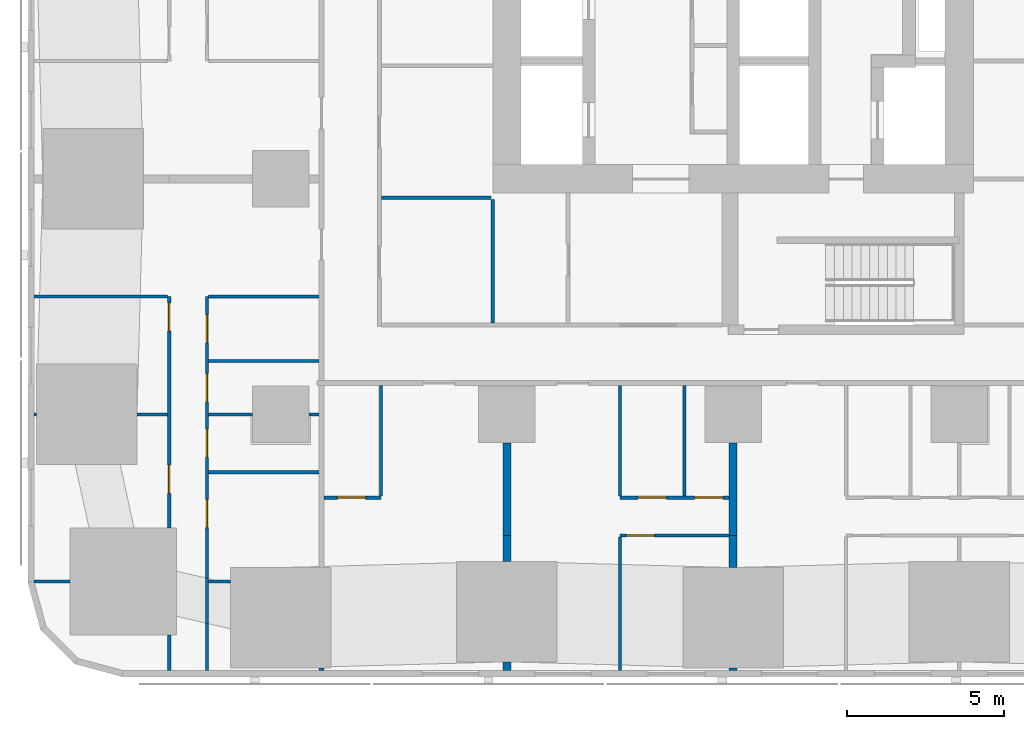
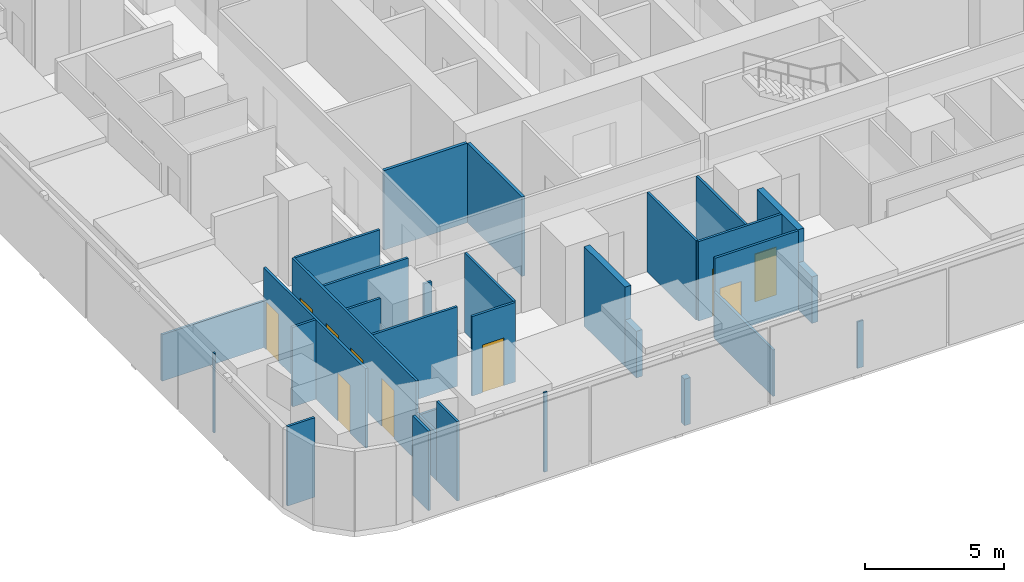
# One storey, part 2 of 17: 31 walls, 10 doors, 10 openings.
"""IFC4 building model written with IfcOpenShell, lengths in metres."""

from ifc_helpers import new_model, si_unit, direction, frame, frame_2d, origin, place, context, subcontext, project, spatial, rectangle, extrude, material, layer, layer_set, type_object, element, fill, save


model = new_model("IFC4")

# Units and contexts
model_context = context("Model", 3, precision=1e-05, world=origin(), true_north=direction((0.0, 1.0)))
body_context = subcontext(model_context, "Body", "Model", "MODEL_VIEW")
ifc_project = project(units=[si_unit("LENGTHUNIT", "METRE"), si_unit("AREAUNIT", "SQUARE_METRE"), si_unit("VOLUMEUNIT", "CUBIC_METRE"), si_unit("PLANEANGLEUNIT", "RADIAN"), si_unit("MASSUNIT", "GRAM", prefix="KILO")], contexts=[model_context])

# Site, building, storey
site_placement = place(None, origin())
site = spatial("IfcSite", under=ifc_project, at=site_placement, CompositionType="ELEMENT")
building_placement = place(site_placement, origin())
building = spatial("IfcBuilding", under=site, at=building_placement, Name="Sheger Commons Tower", CompositionType="ELEMENT")
storey_placement = place(building_placement, frame((0.0, 0.0, 23.75)))
storey = spatial("IfcBuildingStorey", under=building, at=storey_placement, Name="L05", CompositionType="ELEMENT", Elevation=23.75)

# Walls
ifc_material_1 = material(Name="Hollow concrete block masonry, skimmed both sides", Category="masonry")
ifc_layer_1 = layer(ifc_material_1, 0.14990234375)
ifc_layer_set_1 = layer_set([ifc_layer_1], Name="CORRIDOR WALL 150")
wall_type_1 = type_object("IfcWallType", Name="CORRIDOR WALL 150", PredefinedType="SOLIDWALL", material=ifc_layer_set_1)
wall_1_placement = place(storey_placement, frame((8.5, -0.64990234375, 0.0), z_axis=(0.0, 0.0, 1.0), x_axis=(0.0, 1.0, 0.0)))
element("IfcWall", 1, at=wall_1_placement, inside=storey, type_object=wall_type_1, Name="Corridor wall L05", PredefinedType="SOLIDWALL", context=body_context, shape_type="SweptSolid", body=[
    extrude(rectangle(XDim=0.073974609375, YDim=0.14990234375, at=frame_2d((0.037109375, 0.0))), origin(), (0.0, 0.0, 1.0), 3.5),
])
ifc_material_2 = material(Name="Dense concrete block masonry, plastered both sides (separating wall between flats)", Category="masonry")
ifc_layer_2 = layer(ifc_material_2, 0.25)
ifc_layer_set_2 = layer_set([ifc_layer_2], Name="DEMISING WALL 250")
wall_type_2 = type_object("IfcWallType", Name="DEMISING WALL 250", PredefinedType="SOLIDWALL", material=ifc_layer_set_2)
wall_2_placement = place(storey_placement, frame((14.39990234375, -0.64990234375, 0.0), z_axis=(0.0, 0.0, 1.0), x_axis=(0.0, 1.0, 0.0)))
element("IfcWall", 2, at=wall_2_placement, inside=storey, type_object=wall_type_2, Name="Demising wall L05", PredefinedType="SOLIDWALL", context=body_context, shape_type="SweptSolid", body=[
    extrude(rectangle(XDim=0.27392578125, YDim=0.25, at=frame_2d((0.136962890625, 0.0))), origin(), (0.0, 0.0, 1.0), 2.050048828125),
])
wall_3_placement = place(storey_placement, frame((14.39990234375, 2.825927734375, 0.0), z_axis=(0.0, 0.0, 1.0), x_axis=(0.0, 1.0, 0.0)))
element("IfcWall", 3, at=wall_3_placement, inside=storey, type_object=wall_type_2, Name="Demising wall L05", PredefinedType="SOLIDWALL", context=body_context, shape_type="SweptSolid", body=[
    extrude(rectangle(XDim=0.823974609375, YDim=0.25, at=frame_2d((0.412109375, 0.0))), origin(), (0.0, 0.0, 1.0), 2.050048828125),
])
wall_4_placement = place(storey_placement, frame((14.39990234375, 3.64990234375, 0.0), z_axis=(0.0, 0.0, 1.0), x_axis=(0.0, 1.0, 0.0)))
element("IfcWall", 4, at=wall_4_placement, inside=storey, type_object=wall_type_2, Name="Demising wall L05", PredefinedType="SOLIDWALL", context=body_context, shape_type="SweptSolid", body=[
    extrude(rectangle(XDim=2.94921875, YDim=0.25, at=frame_2d((1.474609375, 0.0))), origin(), (0.0, 0.0, 1.0), 3.5),
])
wall_5_placement = place(storey_placement, frame((21.60009765625, -0.64990234375, 0.0), z_axis=(0.0, 0.0, 1.0), x_axis=(0.0, 1.0, 0.0)))
element("IfcWall", 5, at=wall_5_placement, inside=storey, type_object=wall_type_2, Name="Demising wall L05", PredefinedType="SOLIDWALL", context=body_context, shape_type="SweptSolid", body=[
    extrude(rectangle(XDim=0.073974609375, YDim=0.25, at=frame_2d((0.037109375, 0.0))), origin(), (0.0, 0.0, 1.0), 2.050048828125),
])
wall_6_placement = place(storey_placement, frame((21.60009765625, 2.6259765625, 0.0), z_axis=(0.0, 0.0, 1.0), x_axis=(0.0, 1.0, 0.0)))
element("IfcWall", 6, at=wall_6_placement, inside=storey, type_object=wall_type_2, Name="Demising wall L05", PredefinedType="SOLIDWALL", context=body_context, shape_type="SweptSolid", body=[
    extrude(rectangle(XDim=1.02392578125, YDim=0.25, at=frame_2d((0.511962890625, 0.0))), origin(), (0.0, 0.0, 1.0), 2.050048828125),
])
wall_7_placement = place(storey_placement, frame((21.60009765625, 3.64990234375, 0.0), z_axis=(0.0, 0.0, 1.0), x_axis=(0.0, 1.0, 0.0)))
element("IfcWall", 7, at=wall_7_placement, inside=storey, type_object=wall_type_2, Name="Demising wall L05", PredefinedType="SOLIDWALL", context=body_context, shape_type="SweptSolid", body=[
    extrude(rectangle(XDim=2.94921875, YDim=0.25, at=frame_2d((1.474609375, 0.0))), origin(), (0.0, 0.0, 1.0), 3.5),
])
ifc_material_3 = material(Name="Gypsum board on steel studs", Category="steel")
ifc_layer_3 = layer(ifc_material_3, 0.10009765625)
ifc_layer_set_3 = layer_set([ifc_layer_3], Name="PARTITION 100")
wall_type_3 = type_object("IfcWallType", Name="PARTITION 100", PredefinedType="PARTITIONING", material=ifc_layer_set_3)
wall_8_placement = place(storey_placement, frame((3.64990234375, -0.64990234375, 0.0), z_axis=(0.0, 0.0, 1.0), x_axis=(0.0, 1.0, 0.0)))
element("IfcWall", 8, at=wall_8_placement, inside=storey, type_object=wall_type_3, Name="Partition L05", PredefinedType="PARTITIONING", context=body_context, shape_type="SweptSolid", body=[
    extrude(rectangle(XDim=1.135009765625, YDim=0.10009765625, at=frame_2d((0.5673828125, 0.0))), origin(), (0.0, 0.0, 1.0), 3.5),
])

# Wall, openings, doors
wall_9_placement = place(storey_placement, frame((3.64990234375, 3.886962890625, 0.0), z_axis=(0.0, 0.0, 1.0), x_axis=(0.0, 1.0, 0.0)))
wall_9 = element("IfcWall", 9, at=wall_9_placement, inside=storey, type_object=wall_type_3, Name="Partition L05", PredefinedType="PARTITIONING", context=body_context, shape_type="SweptSolid", body=[
    extrude(rectangle(XDim=7.363037109375, YDim=0.10009765625, at=frame_2d((3.681640625, 0.0))), origin(), (0.0, 0.0, 1.0), 3.5),
])
opening_1_placement = place(wall_9_placement, frame((6.262939453125, 0.0, 0.0)))
opening_1 = element("IfcOpeningElement", 10, at=opening_1_placement, cuts=wall_9, Name="Opening D2", PredefinedType="OPENING", context=body_context, shape_type="SweptSolid", body=[
    extrude(rectangle(XDim=0.89990234375, YDim=2.10009765625, at=frame_2d((0.449951171875, 1.050048828125))), frame((0.0, 0.06005859375, 0.0), z_axis=(0.0, -1.0, 0.0), x_axis=(1.0, 0.0, 0.0)), (0.0, 0.0, 1.0), 0.1201171875),
])
opening_2_placement = place(wall_9_placement, frame((1.10009765625, 0.0, 0.0)))
opening_2 = element("IfcOpeningElement", 11, at=opening_2_placement, cuts=wall_9, Name="Opening D2", PredefinedType="OPENING", context=body_context, shape_type="SweptSolid", body=[
    extrude(rectangle(XDim=0.89990234375, YDim=2.10009765625, at=frame_2d((0.449951171875, 1.050048828125))), frame((0.0, 0.06005859375, 0.0), z_axis=(0.0, -1.0, 0.0), x_axis=(1.0, 0.0, 0.0)), (0.0, 0.0, 1.0), 0.1201171875),
])
ifc_material_4 = material(Name="Timber door set", Category="wood")
door_type = type_object("IfcDoorType", Name="INTERNAL DOOR 900x2100", OperationType="NOTDEFINED", PredefinedType="DOOR", material=ifc_material_4)
door_1_placement = place(opening_1_placement, origin())
door_1 = element("IfcDoor", 12, at=door_1_placement, inside=storey, type_object=door_type, Name="Main bedroom door", OperationType="SINGLE_SWING_RIGHT", OverallHeight=2.10009765625, OverallWidth=0.89990234375, PredefinedType="DOOR", context=body_context, shape_type="SweptSolid", body=[
    extrude(rectangle(XDim=0.89990234375, YDim=2.10009765625, at=frame_2d((0.449951171875, 1.050048828125))), frame((0.0, 0.02490234375, 0.0), z_axis=(0.0, -1.0, 0.0), x_axis=(1.0, 0.0, 0.0)), (0.0, 0.0, 1.0), 0.050048828125),
])
fill(opening_1, door_1)
door_2_placement = place(opening_2_placement, origin())
door_2 = element("IfcDoor", 13, at=door_2_placement, inside=storey, type_object=door_type, Name="Bedroom 2 door", OperationType="SINGLE_SWING_LEFT", OverallHeight=2.10009765625, OverallWidth=0.89990234375, PredefinedType="DOOR", context=body_context, shape_type="SweptSolid", body=[
    extrude(rectangle(XDim=0.89990234375, YDim=2.10009765625, at=frame_2d((0.449951171875, 1.050048828125))), frame((0.0, 0.02490234375, 0.0), z_axis=(0.0, -1.0, 0.0), x_axis=(1.0, 0.0, 0.0)), (0.0, 0.0, 1.0), 0.050048828125),
])
fill(opening_2, door_2)

# Walls
wall_10_placement = place(storey_placement, frame((4.85009765625, -0.64990234375, 0.0), z_axis=(0.0, 0.0, 1.0), x_axis=(0.0, 1.0, 0.0)))
element("IfcWall", 14, at=wall_10_placement, inside=storey, type_object=wall_type_3, Name="Partition L05", PredefinedType="PARTITIONING", context=body_context, shape_type="SweptSolid", body=[
    extrude(rectangle(XDim=1.489013671875, YDim=0.10009765625, at=frame_2d((0.74462890625, 0.0))), origin(), (0.0, 0.0, 1.0), 3.5),
])
wall_11_placement = place(storey_placement, frame((4.85009765625, 0.839111328125, 0.0), z_axis=(0.0, 0.0, 1.0), x_axis=(0.0, 1.0, 0.0)))
element("IfcWall", 15, at=wall_11_placement, inside=storey, type_object=wall_type_3, Name="Partition L05", PredefinedType="PARTITIONING", context=body_context, shape_type="SweptSolid", body=[
    extrude(rectangle(XDim=1.4599609375, YDim=0.10009765625, at=frame_2d((0.72998046875, 0.0))), origin(), (0.0, 0.0, 1.0), 2.10009765625),
])

# Wall, openings, doors
wall_12_placement = place(storey_placement, frame((4.85009765625, 2.299072265625, 0.0), z_axis=(0.0, 0.0, 1.0), x_axis=(0.0, 1.0, 0.0)))
wall_12 = element("IfcWall", 16, at=wall_12_placement, inside=storey, type_object=wall_type_3, Name="Partition L05", PredefinedType="PARTITIONING", context=body_context, shape_type="SweptSolid", body=[
    extrude(rectangle(XDim=8.950927734375, YDim=0.10009765625, at=frame_2d((4.4755859375, 0.0))), origin(), (0.0, 0.0, 1.0), 3.5),
])
opening_3_placement = place(wall_12_placement, frame((7.47607421875, 0.0, 0.0)))
opening_3 = element("IfcOpeningElement", 17, at=opening_3_placement, cuts=wall_12, Name="Opening D2", PredefinedType="OPENING", context=body_context, shape_type="SweptSolid", body=[
    extrude(rectangle(XDim=0.89990234375, YDim=2.10009765625, at=frame_2d((0.449951171875, 1.050048828125))), frame((0.0, 0.06005859375, 0.0), z_axis=(0.0, -1.0, 0.0), x_axis=(1.0, 0.0, 0.0)), (0.0, 0.0, 1.0), 0.1201171875),
])
opening_4_placement = place(wall_12_placement, frame((3.8310546875, 0.0, 0.0)))
opening_4 = element("IfcOpeningElement", 18, at=opening_4_placement, cuts=wall_12, Name="Opening D2", PredefinedType="OPENING", context=body_context, shape_type="SweptSolid", body=[
    extrude(rectangle(XDim=0.89990234375, YDim=2.10009765625, at=frame_2d((0.449951171875, 1.050048828125))), frame((0.0, 0.06005859375, 0.0), z_axis=(0.0, -1.0, 0.0), x_axis=(1.0, 0.0, 0.0)), (0.0, 0.0, 1.0), 0.1201171875),
])
opening_5_placement = place(wall_12_placement, frame((5.60107421875, 0.0, 0.0)))
opening_5 = element("IfcOpeningElement", 19, at=opening_5_placement, cuts=wall_12, Name="Opening D2", PredefinedType="OPENING", context=body_context, shape_type="SweptSolid", body=[
    extrude(rectangle(XDim=0.89990234375, YDim=2.10009765625, at=frame_2d((0.449951171875, 1.050048828125))), frame((0.0, 0.06005859375, 0.0), z_axis=(0.0, -1.0, 0.0), x_axis=(1.0, 0.0, 0.0)), (0.0, 0.0, 1.0), 0.1201171875),
])
opening_6_placement = place(wall_12_placement, frame((1.60009765625, 0.0, 0.0)))
opening_6 = element("IfcOpeningElement", 20, at=opening_6_placement, cuts=wall_12, Name="Opening D2", PredefinedType="OPENING", context=body_context, shape_type="SweptSolid", body=[
    extrude(rectangle(XDim=0.89990234375, YDim=2.10009765625, at=frame_2d((0.449951171875, 1.050048828125))), frame((0.0, 0.06005859375, 0.0), z_axis=(0.0, -1.0, 0.0), x_axis=(1.0, 0.0, 0.0)), (0.0, 0.0, 1.0), 0.1201171875),
])
door_3_placement = place(opening_3_placement, origin())
door_3 = element("IfcDoor", 21, at=door_3_placement, inside=storey, type_object=door_type, Name="Bathroom door", OperationType="SINGLE_SWING_LEFT", OverallHeight=2.10009765625, OverallWidth=0.89990234375, PredefinedType="DOOR", context=body_context, shape_type="SweptSolid", body=[
    extrude(rectangle(XDim=0.89990234375, YDim=2.10009765625, at=frame_2d((0.449951171875, 1.050048828125))), frame((0.0, 0.02490234375, 0.0), z_axis=(0.0, -1.0, 0.0), x_axis=(1.0, 0.0, 0.0)), (0.0, 0.0, 1.0), 0.050048828125),
])
fill(opening_3, door_3)
door_4_placement = place(opening_4_placement, origin())
door_4 = element("IfcDoor", 22, at=door_4_placement, inside=storey, type_object=door_type, Name="Laundry room door", OperationType="SINGLE_SWING_RIGHT", OverallHeight=2.10009765625, OverallWidth=0.89990234375, PredefinedType="DOOR", context=body_context, shape_type="SweptSolid", body=[
    extrude(rectangle(XDim=0.89990234375, YDim=2.10009765625, at=frame_2d((0.449951171875, 1.050048828125))), frame((0.0, 0.02490234375, 0.0), z_axis=(0.0, -1.0, 0.0), x_axis=(1.0, 0.0, 0.0)), (0.0, 0.0, 1.0), 0.050048828125),
])
fill(opening_4, door_4)
door_5_placement = place(opening_5_placement, origin())
door_5 = element("IfcDoor", 23, at=door_5_placement, inside=storey, type_object=door_type, Name="Store door", OperationType="SINGLE_SWING_RIGHT", OverallHeight=2.10009765625, OverallWidth=0.89990234375, PredefinedType="DOOR", context=body_context, shape_type="SweptSolid", body=[
    extrude(rectangle(XDim=0.89990234375, YDim=2.10009765625, at=frame_2d((0.449951171875, 1.050048828125))), frame((0.0, 0.02490234375, 0.0), z_axis=(0.0, -1.0, 0.0), x_axis=(1.0, 0.0, 0.0)), (0.0, 0.0, 1.0), 0.050048828125),
])
fill(opening_5, door_5)
door_6_placement = place(opening_6_placement, origin())
door_6 = element("IfcDoor", 24, at=door_6_placement, inside=storey, type_object=door_type, Name="Store door", OperationType="SINGLE_SWING_LEFT", OverallHeight=2.10009765625, OverallWidth=0.89990234375, PredefinedType="DOOR", context=body_context, shape_type="SweptSolid", body=[
    extrude(rectangle(XDim=0.89990234375, YDim=2.10009765625, at=frame_2d((0.449951171875, 1.050048828125))), frame((0.0, 0.02490234375, 0.0), z_axis=(0.0, -1.0, 0.0), x_axis=(1.0, 0.0, 0.0)), (0.0, 0.0, 1.0), 0.050048828125),
])
fill(opening_6, door_6)

# Walls
wall_13_placement = place(storey_placement, frame((-0.64990234375, 2.18603515625, 0.0), z_axis=(0.0, 0.0, 1.0), x_axis=(1.0, 0.0, 0.0)))
element("IfcWall", 25, at=wall_13_placement, inside=storey, type_object=wall_type_3, Name="Partition L05", PredefinedType="PARTITIONING", context=body_context, shape_type="SweptSolid", body=[
    extrude(rectangle(XDim=1.135009765625, YDim=0.10009765625, at=frame_2d((0.5673828125, 0.0))), origin(), (0.0, 0.0, 1.0), 3.5),
])
wall_14_placement = place(storey_placement, frame((-0.64990234375, 7.5, 0.0), z_axis=(0.0, 0.0, 1.0), x_axis=(1.0, 0.0, 0.0)))
element("IfcWall", 26, at=wall_14_placement, inside=storey, type_object=wall_type_3, Name="Partition L05", PredefinedType="PARTITIONING", context=body_context, shape_type="SweptSolid", body=[
    extrude(rectangle(XDim=0.073974609375, YDim=0.10009765625, at=frame_2d((0.037109375, 0.0))), origin(), (0.0, 0.0, 1.0), 3.5),
])
wall_15_placement = place(storey_placement, frame((2.6259765625, 7.5, 0.0), z_axis=(0.0, 0.0, 1.0), x_axis=(1.0, 0.0, 0.0)))
element("IfcWall", 27, at=wall_15_placement, inside=storey, type_object=wall_type_3, Name="Partition L05", PredefinedType="PARTITIONING", context=body_context, shape_type="SweptSolid", body=[
    extrude(rectangle(XDim=0.97412109375, YDim=0.10009765625, at=frame_2d((0.487060546875, 0.0))), origin(), (0.0, 0.0, 1.0), 3.5),
])
wall_16_placement = place(storey_placement, frame((-0.64990234375, 11.25, 0.0), z_axis=(0.0, 0.0, 1.0), x_axis=(1.0, 0.0, 0.0)))
element("IfcWall", 28, at=wall_16_placement, inside=storey, type_object=wall_type_3, Name="Partition L05", PredefinedType="PARTITIONING", context=body_context, shape_type="SweptSolid", body=[
    extrude(rectangle(XDim=4.25, YDim=0.10009765625, at=frame_2d((2.125, 0.0))), origin(), (0.0, 0.0, 1.0), 2.050048828125),
])
wall_17_placement = place(storey_placement, frame((4.89990234375, 2.18603515625, 0.0), z_axis=(0.0, 0.0, 1.0), x_axis=(1.0, 0.0, 0.0)))
element("IfcWall", 29, at=wall_17_placement, inside=storey, type_object=wall_type_3, Name="Partition L05", PredefinedType="PARTITIONING", context=body_context, shape_type="SweptSolid", body=[
    extrude(rectangle(XDim=0.69921875, YDim=0.10009765625, at=frame_2d((0.349609375, 0.0))), origin(), (0.0, 0.0, 1.0), 2.10009765625),
])
wall_18_placement = place(storey_placement, frame((4.89990234375, 7.5, 0.0), z_axis=(0.0, 0.0, 1.0), x_axis=(1.0, 0.0, 0.0)))
element("IfcWall", 30, at=wall_18_placement, inside=storey, type_object=wall_type_3, Name="Partition L05", PredefinedType="PARTITIONING", context=body_context, shape_type="SweptSolid", body=[
    extrude(rectangle(XDim=1.399169921875, YDim=0.10009765625, at=frame_2d((0.69970703125, 0.0))), origin(), (0.0, 0.0, 1.0), 3.5),
])
wall_19_placement = place(storey_placement, frame((8.10107421875, 7.5, 0.0), z_axis=(0.0, 0.0, 1.0), x_axis=(1.0, 0.0, 0.0)))
element("IfcWall", 31, at=wall_19_placement, inside=storey, type_object=wall_type_3, Name="Partition L05", PredefinedType="PARTITIONING", context=body_context, shape_type="SweptSolid", body=[
    extrude(rectangle(XDim=0.323974609375, YDim=0.10009765625, at=frame_2d((0.162109375, 0.0))), origin(), (0.0, 0.0, 1.0), 3.5),
])
for number, where, z_axis, x_axis, name in (
    (32, (4.89990234375, 11.25, 0.0), (0.0, 0.0, 1.0), (1.0, 0.0, 0.0), "Partition L05"),
    (33, (4.89990234375, 9.199951171875, 0.0), (0.0, 0.0, 1.0), (1.0, 0.0, 0.0), "Partition L05"),
    (34, (4.89990234375, 5.659912109375, 0.0), (0.0, 0.0, 1.0), (1.0, 0.0, 0.0), "Partition L05"),
):
    element("IfcWall", number, at=place(storey_placement, frame(where, z_axis=z_axis, x_axis=x_axis)), inside=storey, type_object=wall_type_3, Name=name, PredefinedType="PARTITIONING", context=body_context, shape_type="SweptSolid", body=[
        extrude(rectangle(XDim=3.525146484375, YDim=0.10009765625, at=frame_2d((1.7626953125, 0.0))), origin(), (0.0, 0.0, 1.0), 3.5),
    ])

# Wall, opening, door
wall_20_placement = place(storey_placement, frame((10.389892578125, 4.85009765625, 0.0), z_axis=(0.0, 0.0, 1.0), x_axis=(-1.0, 0.0, 0.0)))
wall_20 = element("IfcWall", 35, at=wall_20_placement, inside=storey, type_object=wall_type_3, Name="Partition L05", PredefinedType="PARTITIONING", context=body_context, shape_type="SweptSolid", body=[
    extrude(rectangle(XDim=1.81494140625, YDim=0.10009765625, at=frame_2d((0.907470703125, 0.0))), origin(), (0.0, 0.0, 1.0), 3.5),
])
opening_7_placement = place(wall_20_placement, frame((0.489990234375, 0.0, 0.0)))
opening_7 = element("IfcOpeningElement", 36, at=opening_7_placement, cuts=wall_20, Name="Opening D2", PredefinedType="OPENING", context=body_context, shape_type="SweptSolid", body=[
    extrude(rectangle(XDim=0.89990234375, YDim=2.10009765625, at=frame_2d((0.449951171875, 1.050048828125))), frame((0.0, 0.06005859375, 0.0), z_axis=(0.0, -1.0, 0.0), x_axis=(1.0, 0.0, 0.0)), (0.0, 0.0, 1.0), 0.1201171875),
])
door_7_placement = place(opening_7_placement, origin())
door_7 = element("IfcDoor", 37, at=door_7_placement, inside=storey, type_object=door_type, Name="Shower room door", OperationType="SINGLE_SWING_LEFT", OverallHeight=2.10009765625, OverallWidth=0.89990234375, PredefinedType="DOOR", context=body_context, shape_type="SweptSolid", body=[
    extrude(rectangle(XDim=0.89990234375, YDim=2.10009765625, at=frame_2d((0.449951171875, 1.050048828125))), frame((0.0, 0.02490234375, 0.0), z_axis=(0.0, -1.0, 0.0), x_axis=(1.0, 0.0, 0.0)), (0.0, 0.0, 1.0), 0.050048828125),
])
fill(opening_7, door_7)

# Wall
wall_21_placement = place(storey_placement, frame((10.389892578125, 4.89990234375, 0.0), z_axis=(0.0, 0.0, 1.0), x_axis=(0.0, 1.0, 0.0)))
element("IfcWall", 38, at=wall_21_placement, inside=storey, type_object=wall_type_3, Name="Partition L05", PredefinedType="PARTITIONING", context=body_context, shape_type="SweptSolid", body=[
    extrude(rectangle(XDim=3.525146484375, YDim=0.10009765625, at=frame_2d((1.7626953125, 0.0))), origin(), (0.0, 0.0, 1.0), 3.5),
])

# Wall, opening, door
wall_22_placement = place(storey_placement, frame((21.47509765625, 3.64990234375, 0.0), z_axis=(0.0, 0.0, 1.0), x_axis=(-1.0, 0.0, 0.0)))
wall_22 = element("IfcWall", 39, at=wall_22_placement, inside=storey, type_object=wall_type_3, Name="Partition L05", PredefinedType="PARTITIONING", context=body_context, shape_type="SweptSolid", body=[
    extrude(rectangle(XDim=3.47509765625, YDim=0.10009765625, at=frame_2d((1.737548828125, 0.0))), origin(), (0.0, 0.0, 1.0), 3.5),
])
opening_8_placement = place(wall_22_placement, frame((2.375, 0.0, 0.0)))
opening_8 = element("IfcOpeningElement", 40, at=opening_8_placement, cuts=wall_22, Name="Opening D2", PredefinedType="OPENING", context=body_context, shape_type="SweptSolid", body=[
    extrude(rectangle(XDim=0.89990234375, YDim=2.10009765625, at=frame_2d((0.449951171875, 1.050048828125))), frame((0.0, 0.06005859375, 0.0), z_axis=(0.0, -1.0, 0.0), x_axis=(1.0, 0.0, 0.0)), (0.0, 0.0, 1.0), 0.1201171875),
])
door_8_placement = place(opening_8_placement, origin())
door_8 = element("IfcDoor", 41, at=door_8_placement, inside=storey, type_object=door_type, Name="Main bedroom door", OperationType="SINGLE_SWING_RIGHT", OverallHeight=2.10009765625, OverallWidth=0.89990234375, PredefinedType="DOOR", context=body_context, shape_type="SweptSolid", body=[
    extrude(rectangle(XDim=0.89990234375, YDim=2.10009765625, at=frame_2d((0.449951171875, 1.050048828125))), frame((0.0, 0.02490234375, 0.0), z_axis=(0.0, -1.0, 0.0), x_axis=(1.0, 0.0, 0.0)), (0.0, 0.0, 1.0), 0.050048828125),
])
fill(opening_8, door_8)

# Wall, openings, doors
wall_23_placement = place(storey_placement, frame((21.47509765625, 4.85009765625, 0.0), z_axis=(0.0, 0.0, 1.0), x_axis=(-1.0, 0.0, 0.0)))
wall_23 = element("IfcWall", 42, at=wall_23_placement, inside=storey, type_object=wall_type_3, Name="Partition L05", PredefinedType="PARTITIONING", context=body_context, shape_type="SweptSolid", body=[
    extrude(rectangle(XDim=3.47509765625, YDim=0.10009765625, at=frame_2d((1.737548828125, 0.0))), origin(), (0.0, 0.0, 1.0), 3.5),
])
opening_9_placement = place(wall_23_placement, frame((2.0, 0.0, 0.0)))
opening_9 = element("IfcOpeningElement", 43, at=opening_9_placement, cuts=wall_23, Name="Opening D2", PredefinedType="OPENING", context=body_context, shape_type="SweptSolid", body=[
    extrude(rectangle(XDim=0.89990234375, YDim=2.10009765625, at=frame_2d((0.449951171875, 1.050048828125))), frame((0.0, 0.06005859375, 0.0), z_axis=(0.0, -1.0, 0.0), x_axis=(1.0, 0.0, 0.0)), (0.0, 0.0, 1.0), 0.1201171875),
])
opening_10_placement = place(wall_23_placement, frame((0.199951171875, 0.0, 0.0)))
opening_10 = element("IfcOpeningElement", 44, at=opening_10_placement, cuts=wall_23, Name="Opening D2", PredefinedType="OPENING", context=body_context, shape_type="SweptSolid", body=[
    extrude(rectangle(XDim=0.89990234375, YDim=2.10009765625, at=frame_2d((0.449951171875, 1.050048828125))), frame((0.0, 0.06005859375, 0.0), z_axis=(0.0, -1.0, 0.0), x_axis=(1.0, 0.0, 0.0)), (0.0, 0.0, 1.0), 0.1201171875),
])
door_9_placement = place(opening_9_placement, origin())
door_9 = element("IfcDoor", 45, at=door_9_placement, inside=storey, type_object=door_type, Name="Bathroom door", OperationType="SINGLE_SWING_LEFT", OverallHeight=2.10009765625, OverallWidth=0.89990234375, PredefinedType="DOOR", context=body_context, shape_type="SweptSolid", body=[
    extrude(rectangle(XDim=0.89990234375, YDim=2.10009765625, at=frame_2d((0.449951171875, 1.050048828125))), frame((0.0, 0.02490234375, 0.0), z_axis=(0.0, -1.0, 0.0), x_axis=(1.0, 0.0, 0.0)), (0.0, 0.0, 1.0), 0.050048828125),
])
fill(opening_9, door_9)
door_10_placement = place(opening_10_placement, origin())
door_10 = element("IfcDoor", 46, at=door_10_placement, inside=storey, type_object=door_type, Name="Store door", OperationType="SINGLE_SWING_RIGHT", OverallHeight=2.10009765625, OverallWidth=0.89990234375, PredefinedType="DOOR", context=body_context, shape_type="SweptSolid", body=[
    extrude(rectangle(XDim=0.89990234375, YDim=2.10009765625, at=frame_2d((0.449951171875, 1.050048828125))), frame((0.0, 0.02490234375, 0.0), z_axis=(0.0, -1.0, 0.0), x_axis=(1.0, 0.0, 0.0)), (0.0, 0.0, 1.0), 0.050048828125),
])
fill(opening_10, door_10)

# Walls
wall_24_placement = place(storey_placement, frame((18.0, -0.64990234375, 0.0), z_axis=(0.0, 0.0, 1.0), x_axis=(0.0, 1.0, 0.0)))
element("IfcWall", 47, at=wall_24_placement, inside=storey, type_object=wall_type_3, Name="Partition L05", PredefinedType="PARTITIONING", context=body_context, shape_type="SweptSolid", body=[
    extrude(rectangle(XDim=4.25, YDim=0.10009765625, at=frame_2d((2.125, 0.0))), origin(), (0.0, 0.0, 1.0), 2.050048828125),
])
for number, where, z_axis, x_axis, name in (
    (48, (18.0, 4.89990234375, 0.0), (0.0, 0.0, 1.0), (0.0, 1.0, 0.0), "Partition L05"),
    (49, (20.050048828125, 4.89990234375, 0.0), (0.0, 0.0, 1.0), (0.0, 1.0, 0.0), "Partition L05"),
):
    element("IfcWall", number, at=place(storey_placement, frame(where, z_axis=z_axis, x_axis=x_axis)), inside=storey, type_object=wall_type_3, Name=name, PredefinedType="PARTITIONING", context=body_context, shape_type="SweptSolid", body=[
        extrude(rectangle(XDim=3.525146484375, YDim=0.10009765625, at=frame_2d((1.7626953125, 0.0))), origin(), (0.0, 0.0, 1.0), 3.5),
    ])
ifc_material_5 = material(Name="Gypsum board on steel studs, two layers each side, fire rated", Category="steel")
ifc_layer_4 = layer(ifc_material_5, 0.125)
ifc_layer_set_4 = layer_set([ifc_layer_4], Name="SERVICE WALL 125")
wall_type_4 = type_object("IfcWallType", Name="SERVICE WALL 125", PredefinedType="PARTITIONING", material=ifc_layer_set_4)
wall_25_placement = place(storey_placement, frame((10.4130859375, 14.39990234375, 0.0), z_axis=(0.0, 0.0, 1.0), x_axis=(1.0, 0.0, 0.0)))
element("IfcWall", 50, at=wall_25_placement, inside=storey, type_object=wall_type_4, Name="Service room wall L05", PredefinedType="PARTITIONING", context=body_context, shape_type="SweptSolid", body=[
    extrude(rectangle(XDim=3.474853515625, YDim=0.125, at=frame_2d((1.7373046875, 0.0))), origin(), (0.0, 0.0, 1.0), 3.5),
])
wall_26_placement = place(storey_placement, frame((13.949951171875, 10.4130859375, 0.0), z_axis=(0.0, 0.0, 1.0), x_axis=(0.0, 1.0, 0.0)))
element("IfcWall", 51, at=wall_26_placement, inside=storey, type_object=wall_type_4, Name="Service room wall L05", PredefinedType="PARTITIONING", context=body_context, shape_type="SweptSolid", body=[
    extrude(rectangle(XDim=3.9248046875, YDim=0.125, at=frame_2d((1.96240234375, 0.0))), origin(), (0.0, 0.0, 1.0), 3.5),
])

save(model, "model.ifc")
